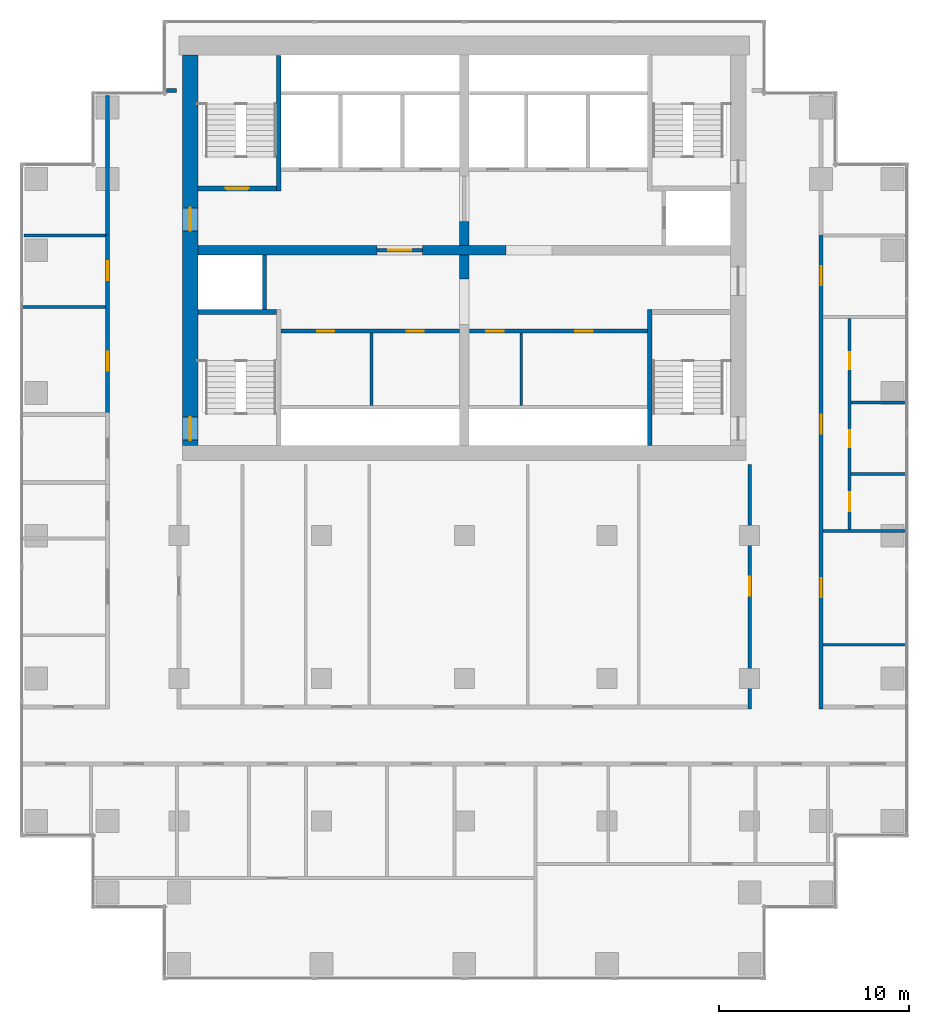
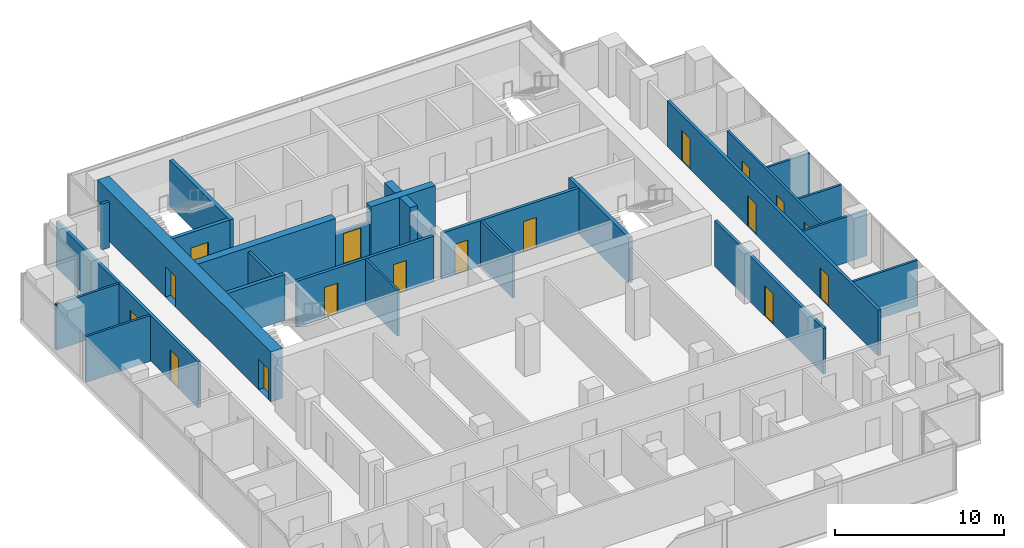
# One storey, part 8 of 11: 27 walls, 17 doors, 17 openings.
"""IFC4 building model written with IfcOpenShell, lengths in metres."""

from ifc_helpers import new_model, si_unit, direction, frame, frame_2d, origin, place, context, subcontext, project, spatial, rectangle, extrude, material, layer, layer_set, type_object, element, fill, save


model = new_model("IFC4")

# Units and contexts
model_context = context("Model", 3, precision=1e-05, world=origin(), true_north=direction((0.0, 1.0)))
body_context = subcontext(model_context, "Body", "Model", "MODEL_VIEW")
ifc_project = project(units=[si_unit("LENGTHUNIT", "METRE"), si_unit("AREAUNIT", "SQUARE_METRE"), si_unit("VOLUMEUNIT", "CUBIC_METRE"), si_unit("PLANEANGLEUNIT", "RADIAN"), si_unit("MASSUNIT", "GRAM", prefix="KILO")], contexts=[model_context])

# Site, building, storey
site_placement = place(None, origin())
site = spatial("IfcSite", under=ifc_project, at=site_placement, CompositionType="ELEMENT")
building_placement = place(site_placement, origin())
building = spatial("IfcBuilding", under=site, at=building_placement, Name="Pilkhan Gate Tower", CompositionType="ELEMENT")
storey_placement = place(building_placement, frame((0.0, 0.0, 172.89990234375)))
storey = spatial("IfcBuildingStorey", under=building, at=storey_placement, Name="L44", CompositionType="ELEMENT", Elevation=172.89990234375)

# Wall, openings, doors
ifc_material_1 = material(Name="Concrete C60/75", Category="concrete")
ifc_layer_1 = layer(ifc_material_1, 0.800048828125)
ifc_layer_set_1 = layer_set([ifc_layer_1], Name="Core wall CW800 C60/75")
wall_type_1 = type_object("IfcWallType", Name="Core wall CW800 C60/75", PredefinedType="SHEAR", material=ifc_layer_set_1)
wall_1_placement = place(storey_placement, frame((60.60009765625, 92.75, 0.0), z_axis=(0.0, 0.0, 1.0), x_axis=(0.0, -1.0, 0.0)))
wall_1 = element("IfcWall", 1, at=wall_1_placement, inside=storey, type_object=wall_type_1, Name="Core wall W L44", PredefinedType="SHEAR", context=body_context, shape_type="SweptSolid", body=[
    extrude(rectangle(XDim=20.5, YDim=0.800048828125, at=frame_2d((10.25, 0.0))), origin(), (0.0, 0.0, 1.0), 3.60009765625),
])
opening_1_placement = place(wall_1_placement, frame((19.02490234375, 0.0, 0.0)))
opening_1 = element("IfcOpeningElement", 2, at=opening_1_placement, cuts=wall_1, Name="Opening L44-04", PredefinedType="OPENING", context=body_context, shape_type="SweptSolid", body=[
    extrude(rectangle(XDim=1.199951171875, YDim=2.199951171875, at=frame_2d((0.60009765625, 1.10009765625))), frame((0.0, 0.409912109375, 0.0), z_axis=(0.0, -1.0, 0.0), x_axis=(1.0, 0.0, 0.0)), (0.0, 0.0, 1.0), 0.820068359375),
])
opening_2_placement = place(wall_1_placement, frame((8.02490234375, 0.0, 0.0)))
opening_2 = element("IfcOpeningElement", 3, at=opening_2_placement, cuts=wall_1, Name="Opening L44-11", PredefinedType="OPENING", context=body_context, shape_type="SweptSolid", body=[
    extrude(rectangle(XDim=1.199951171875, YDim=2.199951171875, at=frame_2d((0.60009765625, 1.10009765625))), frame((0.0, 0.409912109375, 0.0), z_axis=(0.0, -1.0, 0.0), x_axis=(1.0, 0.0, 0.0)), (0.0, 0.0, 1.0), 0.820068359375),
])
ifc_material_2 = material(Name="Steel door, 120 minute fire resisting, self-closing", Category="steel")
door_type_1 = type_object("IfcDoorType", Name="Firefighting lobby door D10 1200x2200", OperationType="SINGLE_SWING_LEFT", PredefinedType="DOOR", material=ifc_material_2)
door_1_placement = place(opening_2_placement, origin())
door_1 = element("IfcDoor", 4, at=door_1_placement, inside=storey, type_object=door_type_1, Name="Core door", OperationType="SINGLE_SWING_LEFT", OverallHeight=2.199951171875, OverallWidth=1.199951171875, PredefinedType="DOOR", context=body_context, shape_type="SweptSolid", body=[
    extrude(rectangle(XDim=1.199951171875, YDim=2.199951171875, at=frame_2d((0.60009765625, 1.10009765625))), frame((0.0, 0.02490234375, 0.0), z_axis=(0.0, -1.0, 0.0), x_axis=(1.0, 0.0, 0.0)), (0.0, 0.0, 1.0), 0.050048828125),
])
fill(opening_2, door_1)
ifc_material_3 = material(Name="Steel door, 120 minute fire resisting, panic bar", Category="steel")
door_type_2 = type_object("IfcDoorType", Name="Stair door D11 1200x2200", OperationType="SINGLE_SWING_LEFT", PredefinedType="DOOR", material=ifc_material_3)
door_2_placement = place(opening_1_placement, origin())
door_2 = element("IfcDoor", 5, at=door_2_placement, inside=storey, type_object=door_type_2, Name="Stair ST2 door", OperationType="SINGLE_SWING_RIGHT", OverallHeight=2.199951171875, OverallWidth=1.199951171875, PredefinedType="DOOR", context=body_context, shape_type="SweptSolid", body=[
    extrude(rectangle(XDim=1.199951171875, YDim=2.199951171875, at=frame_2d((0.60009765625, 1.10009765625))), frame((0.0, 0.02490234375, 0.0), z_axis=(0.0, -1.0, 0.0), x_axis=(1.0, 0.0, 0.0)), (0.0, 0.0, 1.0), 0.050048828125),
])
fill(opening_1, door_2)

# Wall
ifc_material_4 = material(Name="Dense blockwork", Category="masonry")
ifc_layer_2 = layer(ifc_material_4, 0.199951171875)
ifc_layer_set_2 = layer_set([ifc_layer_2], Name="Corridor wall FW200")
wall_type_2 = type_object("IfcWallType", Name="Corridor wall FW200", PredefinedType="PARTITIONING", material=ifc_layer_set_2)
wall_2_placement = place(storey_placement, frame((59.35498046875, 90.89990234375, 0.0), z_axis=(0.0, 0.0, 1.0), x_axis=(1.0, 0.0, 0.0)))
element("IfcWall", 6, at=wall_2_placement, inside=storey, type_object=wall_type_2, Name="Partition L44", PredefinedType="PARTITIONING", context=body_context, shape_type="SweptSolid", body=[
    extrude(rectangle(XDim=0.52490234375, YDim=0.199951171875, at=frame_2d((0.262451171875, 0.0))), origin(), (0.0, 0.0, 1.0), 3.300048828125),
])

# Wall, openings, doors
wall_3_placement = place(storey_placement, frame((56.25, 73.864990234375, 0.0), z_axis=(0.0, 0.0, 1.0), x_axis=(0.0, 1.0, 0.0)))
wall_3 = element("IfcWall", 7, at=wall_3_placement, inside=storey, type_object=wall_type_2, Name="Partition L44", PredefinedType="PARTITIONING", context=body_context, shape_type="SweptSolid", body=[
    extrude(rectangle(XDim=9.489990234375, YDim=0.199951171875, at=frame_2d((4.7451171875, 0.0))), origin(), (0.0, 0.0, 1.0), 3.300048828125),
])
opening_3_placement = place(wall_3_placement, frame((2.300048828125, 0.0, 0.0)))
opening_3 = element("IfcOpeningElement", 8, at=opening_3_placement, cuts=wall_3, Name="Opening L44-31", PredefinedType="OPENING", context=body_context, shape_type="SweptSolid", body=[
    extrude(rectangle(XDim=1.0, YDim=2.199951171875, at=frame_2d((0.5, 1.10009765625))), frame((0.0, 0.10986328125, 0.0), z_axis=(0.0, -1.0, 0.0), x_axis=(1.0, 0.0, 0.0)), (0.0, 0.0, 1.0), 0.219970703125),
])
opening_4_placement = place(wall_3_placement, frame((7.049072265625, 0.0, 0.0)))
opening_4 = element("IfcOpeningElement", 9, at=opening_4_placement, cuts=wall_3, Name="Opening L44-32", PredefinedType="OPENING", context=body_context, shape_type="SweptSolid", body=[
    extrude(rectangle(XDim=1.0, YDim=2.199951171875, at=frame_2d((0.5, 1.10009765625))), frame((0.0, 0.10986328125, 0.0), z_axis=(0.0, -1.0, 0.0), x_axis=(1.0, 0.0, 0.0)), (0.0, 0.0, 1.0), 0.219970703125),
])
ifc_material_5 = material(Name="Timber flush door, 30 minute fire resisting", Category="wood")
door_type_3 = type_object("IfcDoorType", Name="Room door D03 1000x2200", OperationType="SINGLE_SWING_LEFT", PredefinedType="DOOR", material=ifc_material_5)
door_3_placement = place(opening_3_placement, origin())
door_3 = element("IfcDoor", 10, at=door_3_placement, inside=storey, type_object=door_type_3, Name="Room door", OperationType="SINGLE_SWING_RIGHT", OverallHeight=2.199951171875, OverallWidth=1.0, PredefinedType="DOOR", context=body_context, shape_type="SweptSolid", body=[
    extrude(rectangle(XDim=1.0, YDim=2.199951171875, at=frame_2d((0.5, 1.10009765625))), frame((0.0, 0.02490234375, 0.0), z_axis=(0.0, -1.0, 0.0), x_axis=(1.0, 0.0, 0.0)), (0.0, 0.0, 1.0), 0.050048828125),
])
fill(opening_3, door_3)
door_4_placement = place(opening_4_placement, origin())
door_4 = element("IfcDoor", 11, at=door_4_placement, inside=storey, type_object=door_type_3, Name="Room door", OperationType="SINGLE_SWING_RIGHT", OverallHeight=2.199951171875, OverallWidth=1.0, PredefinedType="DOOR", context=body_context, shape_type="SweptSolid", body=[
    extrude(rectangle(XDim=1.0, YDim=2.199951171875, at=frame_2d((0.5, 1.10009765625))), frame((0.0, 0.02490234375, 0.0), z_axis=(0.0, -1.0, 0.0), x_axis=(1.0, 0.0, 0.0)), (0.0, 0.0, 1.0), 0.050048828125),
])
fill(opening_4, door_4)

# Wall
wall_4_placement = place(storey_placement, frame((56.25, 83.31005859375, 0.0), z_axis=(0.0, 0.0, 1.0), x_axis=(0.0, 1.0, 0.0)))
element("IfcWall", 12, at=wall_4_placement, inside=storey, type_object=wall_type_2, Name="Partition L44", PredefinedType="PARTITIONING", context=body_context, shape_type="SweptSolid", body=[
    extrude(rectangle(XDim=7.3349609375, YDim=0.199951171875, at=frame_2d((3.66748046875, 0.0))), origin(), (0.0, 0.0, 1.0), 3.300048828125),
])

# Wall, opening, door
wall_5_placement = place(storey_placement, frame((90.0, 58.39990234375, 0.0), z_axis=(0.0, 0.0, 1.0), x_axis=(0.0, 1.0, 0.0)))
wall_5 = element("IfcWall", 13, at=wall_5_placement, inside=storey, type_object=wall_type_2, Name="Partition L44", PredefinedType="PARTITIONING", context=body_context, shape_type="SweptSolid", body=[
    extrude(rectangle(XDim=12.85009765625, YDim=0.199951171875, at=frame_2d((6.425048828125, 0.0))), origin(), (0.0, 0.0, 1.0), 3.300048828125),
])
opening_5_placement = place(wall_5_placement, frame((5.949951171875, 0.0, 0.0)))
opening_5 = element("IfcOpeningElement", 14, at=opening_5_placement, cuts=wall_5, Name="Opening L44-44", PredefinedType="OPENING", context=body_context, shape_type="SweptSolid", body=[
    extrude(rectangle(XDim=1.0, YDim=2.199951171875, at=frame_2d((0.5, 1.10009765625))), frame((0.0, 0.10986328125, 0.0), z_axis=(0.0, -1.0, 0.0), x_axis=(1.0, 0.0, 0.0)), (0.0, 0.0, 1.0), 0.219970703125),
])
door_5_placement = place(opening_5_placement, origin())
door_5 = element("IfcDoor", 15, at=door_5_placement, inside=storey, type_object=door_type_3, Name="Room door", OperationType="SINGLE_SWING_LEFT", OverallHeight=2.199951171875, OverallWidth=1.0, PredefinedType="DOOR", context=body_context, shape_type="SweptSolid", body=[
    extrude(rectangle(XDim=1.0, YDim=2.199951171875, at=frame_2d((0.5, 1.10009765625))), frame((0.0, 0.02490234375, 0.0), z_axis=(0.0, -1.0, 0.0), x_axis=(1.0, 0.0, 0.0)), (0.0, 0.0, 1.0), 0.050048828125),
])
fill(opening_5, door_5)

# Wall, openings, doors
wall_6_placement = place(storey_placement, frame((93.75, 58.39990234375, 0.0), z_axis=(0.0, 0.0, 1.0), x_axis=(0.0, 1.0, 0.0)))
wall_6 = element("IfcWall", 16, at=wall_6_placement, inside=storey, type_object=wall_type_2, Name="Partition L44", PredefinedType="PARTITIONING", context=body_context, shape_type="SweptSolid", body=[
    extrude(rectangle(XDim=24.955078125, YDim=0.199951171875, at=frame_2d((12.4775390625, 0.0))), origin(), (0.0, 0.0, 1.0), 3.300048828125),
])
opening_6_placement = place(wall_6_placement, frame((14.449951171875, 0.0, 0.0)))
opening_6 = element("IfcOpeningElement", 17, at=opening_6_placement, cuts=wall_6, Name="Opening L44-09", PredefinedType="OPENING", context=body_context, shape_type="SweptSolid", body=[
    extrude(rectangle(XDim=1.0, YDim=2.199951171875, at=frame_2d((0.5, 1.10009765625))), frame((0.0, 0.10986328125, 0.0), z_axis=(0.0, -1.0, 0.0), x_axis=(1.0, 0.0, 0.0)), (0.0, 0.0, 1.0), 0.219970703125),
])
opening_7_placement = place(wall_6_placement, frame((5.868896484375, 0.0, 0.0)))
opening_7 = element("IfcOpeningElement", 18, at=opening_7_placement, cuts=wall_6, Name="Opening L44-37", PredefinedType="OPENING", context=body_context, shape_type="SweptSolid", body=[
    extrude(rectangle(XDim=1.0, YDim=2.199951171875, at=frame_2d((0.5, 1.10009765625))), frame((0.0, 0.10986328125, 0.0), z_axis=(0.0, -1.0, 0.0), x_axis=(1.0, 0.0, 0.0)), (0.0, 0.0, 1.0), 0.219970703125),
])
opening_8_placement = place(wall_6_placement, frame((22.25, 0.0, 0.0)))
opening_8 = element("IfcOpeningElement", 19, at=opening_8_placement, cuts=wall_6, Name="Opening L44-38", PredefinedType="OPENING", context=body_context, shape_type="SweptSolid", body=[
    extrude(rectangle(XDim=1.0, YDim=2.199951171875, at=frame_2d((0.5, 1.10009765625))), frame((0.0, 0.10986328125, 0.0), z_axis=(0.0, -1.0, 0.0), x_axis=(1.0, 0.0, 0.0)), (0.0, 0.0, 1.0), 0.219970703125),
])
door_6_placement = place(opening_6_placement, origin())
door_6 = element("IfcDoor", 20, at=door_6_placement, inside=storey, type_object=door_type_3, Name="Toilet lobby door", OperationType="SINGLE_SWING_LEFT", OverallHeight=2.199951171875, OverallWidth=1.0, PredefinedType="DOOR", context=body_context, shape_type="SweptSolid", body=[
    extrude(rectangle(XDim=1.0, YDim=2.199951171875, at=frame_2d((0.5, 1.10009765625))), frame((0.0, 0.02490234375, 0.0), z_axis=(0.0, -1.0, 0.0), x_axis=(1.0, 0.0, 0.0)), (0.0, 0.0, 1.0), 0.050048828125),
])
fill(opening_6, door_6)
door_7_placement = place(opening_7_placement, origin())
door_7 = element("IfcDoor", 21, at=door_7_placement, inside=storey, type_object=door_type_3, Name="Room door", OperationType="SINGLE_SWING_RIGHT", OverallHeight=2.199951171875, OverallWidth=1.0, PredefinedType="DOOR", context=body_context, shape_type="SweptSolid", body=[
    extrude(rectangle(XDim=1.0, YDim=2.199951171875, at=frame_2d((0.5, 1.10009765625))), frame((0.0, 0.02490234375, 0.0), z_axis=(0.0, -1.0, 0.0), x_axis=(1.0, 0.0, 0.0)), (0.0, 0.0, 1.0), 0.050048828125),
])
fill(opening_7, door_7)
door_8_placement = place(opening_8_placement, origin())
door_8 = element("IfcDoor", 22, at=door_8_placement, inside=storey, type_object=door_type_3, Name="Room door", OperationType="SINGLE_SWING_RIGHT", OverallHeight=2.199951171875, OverallWidth=1.0, PredefinedType="DOOR", context=body_context, shape_type="SweptSolid", body=[
    extrude(rectangle(XDim=1.0, YDim=2.199951171875, at=frame_2d((0.5, 1.10009765625))), frame((0.0, 0.02490234375, 0.0), z_axis=(0.0, -1.0, 0.0), x_axis=(1.0, 0.0, 0.0)), (0.0, 0.0, 1.0), 0.050048828125),
])
fill(opening_8, door_8)

ifc_layer_3 = layer(ifc_material_4, 0.199951171875)
ifc_layer_set_3 = layer_set([ifc_layer_3], Name="Lobby wall LW200")
wall_type_3 = type_object("IfcWallType", Name="Lobby wall LW200", PredefinedType="PARTITIONING", material=ifc_layer_set_3)
wall_7_placement = place(storey_placement, frame((65.375, 78.25, 0.0), z_axis=(0.0, 0.0, 1.0), x_axis=(1.0, 0.0, 0.0)))
wall_7 = element("IfcWall", 23, at=wall_7_placement, inside=storey, type_object=wall_type_3, Name="Partition L44", PredefinedType="PARTITIONING", context=body_context, shape_type="SweptSolid", body=[
    extrude(rectangle(XDim=9.364990234375, YDim=0.199951171875, at=frame_2d((4.6826171875, 0.0))), origin(), (0.0, 0.0, 1.0), 3.300048828125),
])
opening_9_placement = place(wall_7_placement, frame((1.89990234375, 0.0, 0.0)))
opening_9 = element("IfcOpeningElement", 24, at=opening_9_placement, cuts=wall_7, Name="Opening L44-12", PredefinedType="OPENING", context=body_context, shape_type="SweptSolid", body=[
    extrude(rectangle(XDim=0.89990234375, YDim=2.199951171875, at=frame_2d((0.449951171875, 1.10009765625))), frame((0.0, 0.10986328125, 0.0), z_axis=(0.0, -1.0, 0.0), x_axis=(1.0, 0.0, 0.0)), (0.0, 0.0, 1.0), 0.219970703125),
])
opening_10_placement = place(wall_7_placement, frame((6.60009765625, 0.0, 0.0)))
opening_10 = element("IfcOpeningElement", 25, at=opening_10_placement, cuts=wall_7, Name="Opening L44-13", PredefinedType="OPENING", context=body_context, shape_type="SweptSolid", body=[
    extrude(rectangle(XDim=0.89990234375, YDim=2.199951171875, at=frame_2d((0.449951171875, 1.10009765625))), frame((0.0, 0.10986328125, 0.0), z_axis=(0.0, -1.0, 0.0), x_axis=(1.0, 0.0, 0.0)), (0.0, 0.0, 1.0), 0.219970703125),
])
ifc_material_6 = material(Name="Timber flush door, 60 minute fire resisting, self-closing", Category="wood")
door_type_4 = type_object("IfcDoorType", Name="Store door D05 900x2200", OperationType="SINGLE_SWING_LEFT", PredefinedType="DOOR", material=ifc_material_6)
door_9_placement = place(opening_9_placement, origin())
door_9 = element("IfcDoor", 26, at=door_9_placement, inside=storey, type_object=door_type_4, Name="Store door", OperationType="SINGLE_SWING_LEFT", OverallHeight=2.199951171875, OverallWidth=0.89990234375, PredefinedType="DOOR", context=body_context, shape_type="SweptSolid", body=[
    extrude(rectangle(XDim=0.89990234375, YDim=2.199951171875, at=frame_2d((0.449951171875, 1.10009765625))), frame((0.0, 0.02490234375, 0.0), z_axis=(0.0, -1.0, 0.0), x_axis=(1.0, 0.0, 0.0)), (0.0, 0.0, 1.0), 0.050048828125),
])
fill(opening_9, door_9)
door_10_placement = place(opening_10_placement, origin())
door_10 = element("IfcDoor", 27, at=door_10_placement, inside=storey, type_object=door_type_4, Name="Store door", OperationType="SINGLE_SWING_RIGHT", OverallHeight=2.199951171875, OverallWidth=0.89990234375, PredefinedType="DOOR", context=body_context, shape_type="SweptSolid", body=[
    extrude(rectangle(XDim=0.89990234375, YDim=2.199951171875, at=frame_2d((0.449951171875, 1.10009765625))), frame((0.0, 0.02490234375, 0.0), z_axis=(0.0, -1.0, 0.0), x_axis=(1.0, 0.0, 0.0)), (0.0, 0.0, 1.0), 0.050048828125),
])
fill(opening_10, door_10)

wall_8_placement = place(storey_placement, frame((75.260009765625, 78.25, 0.0), z_axis=(0.0, 0.0, 1.0), x_axis=(1.0, 0.0, 0.0)))
wall_8 = element("IfcWall", 28, at=wall_8_placement, inside=storey, type_object=wall_type_3, Name="Partition L44", PredefinedType="PARTITIONING", context=body_context, shape_type="SweptSolid", body=[
    extrude(rectangle(XDim=9.364990234375, YDim=0.199951171875, at=frame_2d((4.6826171875, 0.0))), origin(), (0.0, 0.0, 1.0), 3.300048828125),
])
opening_11_placement = place(wall_8_placement, frame((0.89990234375, 0.0, 0.0)))
opening_11 = element("IfcOpeningElement", 29, at=opening_11_placement, cuts=wall_8, Name="Opening L44-14", PredefinedType="OPENING", context=body_context, shape_type="SweptSolid", body=[
    extrude(rectangle(XDim=0.89990234375, YDim=2.199951171875, at=frame_2d((0.449951171875, 1.10009765625))), frame((0.0, 0.10986328125, 0.0), z_axis=(0.0, -1.0, 0.0), x_axis=(1.0, 0.0, 0.0)), (0.0, 0.0, 1.0), 0.219970703125),
])
opening_12_placement = place(wall_8_placement, frame((5.580078125, 0.0, 0.0)))
opening_12 = element("IfcOpeningElement", 30, at=opening_12_placement, cuts=wall_8, Name="Opening L44-15", PredefinedType="OPENING", context=body_context, shape_type="SweptSolid", body=[
    extrude(rectangle(XDim=0.89990234375, YDim=2.199951171875, at=frame_2d((0.449951171875, 1.10009765625))), frame((0.0, 0.10986328125, 0.0), z_axis=(0.0, -1.0, 0.0), x_axis=(1.0, 0.0, 0.0)), (0.0, 0.0, 1.0), 0.219970703125),
])
door_11_placement = place(opening_11_placement, origin())
door_11 = element("IfcDoor", 31, at=door_11_placement, inside=storey, type_object=door_type_4, Name="Store door", OperationType="SINGLE_SWING_LEFT", OverallHeight=2.199951171875, OverallWidth=0.89990234375, PredefinedType="DOOR", context=body_context, shape_type="SweptSolid", body=[
    extrude(rectangle(XDim=0.89990234375, YDim=2.199951171875, at=frame_2d((0.449951171875, 1.10009765625))), frame((0.0, 0.02490234375, 0.0), z_axis=(0.0, -1.0, 0.0), x_axis=(1.0, 0.0, 0.0)), (0.0, 0.0, 1.0), 0.050048828125),
])
fill(opening_11, door_11)
door_12_placement = place(opening_12_placement, origin())
door_12 = element("IfcDoor", 32, at=door_12_placement, inside=storey, type_object=door_type_4, Name="Store door", OperationType="SINGLE_SWING_LEFT", OverallHeight=2.199951171875, OverallWidth=0.89990234375, PredefinedType="DOOR", context=body_context, shape_type="SweptSolid", body=[
    extrude(rectangle(XDim=0.89990234375, YDim=2.199951171875, at=frame_2d((0.449951171875, 1.10009765625))), frame((0.0, 0.02490234375, 0.0), z_axis=(0.0, -1.0, 0.0), x_axis=(1.0, 0.0, 0.0)), (0.0, 0.0, 1.0), 0.050048828125),
])
fill(opening_12, door_12)

# Wall, opening, door
wall_9_placement = place(storey_placement, frame((70.409912109375, 82.5, 0.0), z_axis=(0.0, 0.0, 1.0), x_axis=(1.0, 0.0, 0.0)))
wall_9 = element("IfcWall", 33, at=wall_9_placement, inside=storey, type_object=wall_type_3, Name="Partition L44", PredefinedType="PARTITIONING", context=body_context, shape_type="SweptSolid", body=[
    extrude(rectangle(XDim=2.380126953125, YDim=0.199951171875, at=frame_2d((1.18994140625, 0.0))), origin(), (0.0, 0.0, 1.0), 2.400146484375),
])
opening_13_placement = place(wall_9_placement, frame((0.60009765625, 0.0, 0.0)))
opening_13 = element("IfcOpeningElement", 34, at=opening_13_placement, cuts=wall_9, Name="Opening L44-01", PredefinedType="OPENING", context=body_context, shape_type="SweptSolid", body=[
    extrude(rectangle(XDim=1.199951171875, YDim=2.199951171875, at=frame_2d((0.60009765625, 1.10009765625))), frame((0.0, 0.10986328125, 0.0), z_axis=(0.0, -1.0, 0.0), x_axis=(1.0, 0.0, 0.0)), (0.0, 0.0, 1.0), 0.219970703125),
])
door_13_placement = place(opening_13_placement, origin())
door_13 = element("IfcDoor", 35, at=door_13_placement, inside=storey, type_object=door_type_1, Name="Firefighting lobby door", OperationType="SINGLE_SWING_LEFT", OverallHeight=2.199951171875, OverallWidth=1.199951171875, PredefinedType="DOOR", context=body_context, shape_type="SweptSolid", body=[
    extrude(rectangle(XDim=1.199951171875, YDim=2.199951171875, at=frame_2d((0.60009765625, 1.10009765625))), frame((0.0, 0.02490234375, 0.0), z_axis=(0.0, -1.0, 0.0), x_axis=(1.0, 0.0, 0.0)), (0.0, 0.0, 1.0), 0.050048828125),
])
fill(opening_13, door_13)

# Walls
ifc_material_7 = material(Name="Blockwork partition, plastered both sides", Category="masonry")
ifc_layer_4 = layer(ifc_material_7, 0.14990234375)
ifc_layer_set_4 = layer_set([ifc_layer_4], Name="Partition PW150")
wall_type_4 = type_object("IfcWallType", Name="Partition PW150", PredefinedType="PARTITIONING", material=ifc_layer_set_4)
for number, where, z_axis, x_axis, name in (
    (36, (93.85009765625, 61.76904296875, 0.0), (0.0, 0.0, 1.0), (1.0, 0.0, 0.0), "Partition L44"),
    (37, (93.85009765625, 67.75, 0.0), (0.0, 0.0, 1.0), (1.0, 0.0, 0.0), "Partition L44"),
):
    element("IfcWall", number, at=place(storey_placement, frame(where, z_axis=z_axis, x_axis=x_axis)), inside=storey, type_object=wall_type_4, Name=name, PredefinedType="PARTITIONING", context=body_context, shape_type="SweptSolid", body=[
        extrude(rectangle(XDim=4.414794921875, YDim=0.14990234375, at=frame_2d((2.20751953125, 0.0))), origin(), (0.0, 0.0, 1.0), 3.300048828125),
    ])
for number, where, z_axis, x_axis, name in (
    (38, (95.324951171875, 70.75, 0.0), (0.0, 0.0, 1.0), (1.0, 0.0, 0.0), "Partition L44"),
    (39, (95.324951171875, 74.5, 0.0), (0.0, 0.0, 1.0), (1.0, 0.0, 0.0), "Partition L44"),
):
    element("IfcWall", number, at=place(storey_placement, frame(where, z_axis=z_axis, x_axis=x_axis)), inside=storey, type_object=wall_type_4, Name=name, PredefinedType="PARTITIONING", context=body_context, shape_type="SweptSolid", body=[
        extrude(rectangle(XDim=2.93994140625, YDim=0.14990234375, at=frame_2d((1.469970703125, 0.0))), origin(), (0.0, 0.0, 1.0), 3.300048828125),
    ])
wall_10_placement = place(storey_placement, frame((51.735107421875, 79.513916015625, 0.0), z_axis=(0.0, 0.0, 1.0), x_axis=(1.0, 0.0, 0.0)))
element("IfcWall", 40, at=wall_10_placement, inside=storey, type_object=wall_type_4, Name="Partition L44", PredefinedType="PARTITIONING", context=body_context, shape_type="SweptSolid", body=[
    extrude(rectangle(XDim=4.414794921875, YDim=0.14990234375, at=frame_2d((2.20751953125, 0.0))), origin(), (0.0, 0.0, 1.0), 3.300048828125),
])
wall_11_placement = place(storey_placement, frame((51.85498046875, 83.280029296875, 0.0), z_axis=(0.0, 0.0, 1.0), x_axis=(1.0, 0.0, 0.0)))
element("IfcWall", 41, at=wall_11_placement, inside=storey, type_object=wall_type_4, Name="Partition L44", PredefinedType="PARTITIONING", context=body_context, shape_type="SweptSolid", body=[
    extrude(rectangle(XDim=4.294921875, YDim=0.14990234375, at=frame_2d((2.1474609375, 0.0))), origin(), (0.0, 0.0, 1.0), 3.300048828125),
])
for number, where, z_axis, x_axis, name in (
    (42, (70.125, 74.35009765625, 0.0), (0.0, 0.0, 1.0), (0.0, 1.0, 0.0), "Partition L44"),
    (43, (77.989990234375, 74.35009765625, 0.0), (0.0, 0.0, 1.0), (0.0, 1.0, 0.0), "Partition L44"),
):
    element("IfcWall", number, at=place(storey_placement, frame(where, z_axis=z_axis, x_axis=x_axis)), inside=storey, type_object=wall_type_4, Name=name, PredefinedType="PARTITIONING", context=body_context, shape_type="SweptSolid", body=[
        extrude(rectangle(XDim=3.7998046875, YDim=0.14990234375, at=frame_2d((1.89990234375, 0.0))), origin(), (0.0, 0.0, 1.0), 3.300048828125),
    ])

# Wall, openings, doors
wall_12_placement = place(storey_placement, frame((95.25, 67.824951171875, 0.0), z_axis=(0.0, 0.0, 1.0), x_axis=(0.0, 1.0, 0.0)))
wall_12 = element("IfcWall", 44, at=wall_12_placement, inside=storey, type_object=wall_type_4, Name="Partition L44", PredefinedType="PARTITIONING", context=body_context, shape_type="SweptSolid", body=[
    extrude(rectangle(XDim=11.10009765625, YDim=0.14990234375, at=frame_2d((5.550048828125, 0.0))), origin(), (0.0, 0.0, 1.0), 3.300048828125),
])
opening_14_placement = place(wall_12_placement, frame((0.949951171875, 0.0, 0.0)))
opening_14 = element("IfcOpeningElement", 45, at=opening_14_placement, cuts=wall_12, Name="Opening L44-33", PredefinedType="OPENING", context=body_context, shape_type="SweptSolid", body=[
    extrude(rectangle(XDim=1.0, YDim=2.199951171875, at=frame_2d((0.5, 1.10009765625))), frame((0.0, 0.0849609375, 0.0), z_axis=(0.0, -1.0, 0.0), x_axis=(1.0, 0.0, 0.0)), (0.0, 0.0, 1.0), 0.169921875),
])
opening_15_placement = place(wall_12_placement, frame((4.324951171875, 0.0, 0.0)))
opening_15 = element("IfcOpeningElement", 46, at=opening_15_placement, cuts=wall_12, Name="Opening L44-34", PredefinedType="OPENING", context=body_context, shape_type="SweptSolid", body=[
    extrude(rectangle(XDim=0.89990234375, YDim=2.199951171875, at=frame_2d((0.449951171875, 1.10009765625))), frame((0.0, 0.0849609375, 0.0), z_axis=(0.0, -1.0, 0.0), x_axis=(1.0, 0.0, 0.0)), (0.0, 0.0, 1.0), 0.169921875),
])
opening_16_placement = place(wall_12_placement, frame((8.425048828125, 0.0, 0.0)))
opening_16 = element("IfcOpeningElement", 47, at=opening_16_placement, cuts=wall_12, Name="Opening L44-35", PredefinedType="OPENING", context=body_context, shape_type="SweptSolid", body=[
    extrude(rectangle(XDim=0.89990234375, YDim=2.199951171875, at=frame_2d((0.449951171875, 1.10009765625))), frame((0.0, 0.0849609375, 0.0), z_axis=(0.0, -1.0, 0.0), x_axis=(1.0, 0.0, 0.0)), (0.0, 0.0, 1.0), 0.169921875),
])
ifc_material_8 = material(Name="Timber flush door, outward opening, 30 minute fire resisting", Category="wood")
door_type_5 = type_object("IfcDoorType", Name="Accessible toilet door D07 1000x2200", OperationType="SINGLE_SWING_LEFT", PredefinedType="DOOR", material=ifc_material_8)
door_14_placement = place(opening_14_placement, origin())
door_14 = element("IfcDoor", 48, at=door_14_placement, inside=storey, type_object=door_type_5, Name="Accessible toilet door", OperationType="SINGLE_SWING_LEFT", OverallHeight=2.199951171875, OverallWidth=1.0, PredefinedType="DOOR", context=body_context, shape_type="SweptSolid", body=[
    extrude(rectangle(XDim=1.0, YDim=2.199951171875, at=frame_2d((0.5, 1.10009765625))), frame((0.0, 0.02490234375, 0.0), z_axis=(0.0, -1.0, 0.0), x_axis=(1.0, 0.0, 0.0)), (0.0, 0.0, 1.0), 0.050048828125),
])
fill(opening_14, door_14)
door_type_6 = type_object("IfcDoorType", Name="Toilet door D06 900x2200", OperationType="SINGLE_SWING_LEFT", PredefinedType="DOOR", material=ifc_material_5)
door_15_placement = place(opening_15_placement, origin())
door_15 = element("IfcDoor", 49, at=door_15_placement, inside=storey, type_object=door_type_6, Name="Toilet door", OperationType="SINGLE_SWING_LEFT", OverallHeight=2.199951171875, OverallWidth=0.89990234375, PredefinedType="DOOR", context=body_context, shape_type="SweptSolid", body=[
    extrude(rectangle(XDim=0.89990234375, YDim=2.199951171875, at=frame_2d((0.449951171875, 1.10009765625))), frame((0.0, 0.02490234375, 0.0), z_axis=(0.0, -1.0, 0.0), x_axis=(1.0, 0.0, 0.0)), (0.0, 0.0, 1.0), 0.050048828125),
])
fill(opening_15, door_15)
door_16_placement = place(opening_16_placement, origin())
door_16 = element("IfcDoor", 50, at=door_16_placement, inside=storey, type_object=door_type_6, Name="Toilet door", OperationType="SINGLE_SWING_LEFT", OverallHeight=2.199951171875, OverallWidth=0.89990234375, PredefinedType="DOOR", context=body_context, shape_type="SweptSolid", body=[
    extrude(rectangle(XDim=0.89990234375, YDim=2.199951171875, at=frame_2d((0.449951171875, 1.10009765625))), frame((0.0, 0.02490234375, 0.0), z_axis=(0.0, -1.0, 0.0), x_axis=(1.0, 0.0, 0.0)), (0.0, 0.0, 1.0), 0.050048828125),
])
fill(opening_16, door_16)

# Walls
ifc_material_9 = material(Name="Reinforced blockwork shaft wall, 120 minute fire resisting", Category="masonry")
ifc_layer_5 = layer(ifc_material_9, 0.199951171875)
ifc_layer_set_5 = layer_set([ifc_layer_5], Name="Shaft wall SW200")
wall_type_5 = type_object("IfcWallType", Name="Shaft wall SW200", PredefinedType="PARTITIONING", material=ifc_layer_set_5)
wall_13_placement = place(storey_placement, frame((64.5, 79.375, 0.0), z_axis=(0.0, 0.0, 1.0), x_axis=(0.0, 1.0, 0.0)))
element("IfcWall", 51, at=wall_13_placement, inside=storey, type_object=wall_type_5, Name="Partition L44", PredefinedType="PARTITIONING", context=body_context, shape_type="SweptSolid", body=[
    extrude(rectangle(XDim=2.864990234375, YDim=0.199951171875, at=frame_2d((1.4326171875, 0.0))), origin(), (0.0, 0.0, 1.0), 3.300048828125),
])
ifc_layer_6 = layer(ifc_material_1, 0.5)
ifc_layer_set_6 = layer_set([ifc_layer_6], Name="Spine wall SW500 C60/75")
wall_type_6 = type_object("IfcWallType", Name="Spine wall SW500 C60/75", PredefinedType="SHEAR", material=ifc_layer_set_6)
wall_14_placement = place(storey_placement, frame((61.0, 82.5, 0.0), z_axis=(0.0, 0.0, 1.0), x_axis=(1.0, 0.0, 0.0)))
element("IfcWall", 52, at=wall_14_placement, inside=storey, type_object=wall_type_6, Name="Spine wall SP-EW1 L44", PredefinedType="SHEAR", context=body_context, shape_type="SweptSolid", body=[
    extrude(rectangle(XDim=9.39990234375, YDim=0.5, at=frame_2d((4.699951171875, 0.0))), origin(), (0.0, 0.0, 1.0), 3.60009765625),
])
wall_15_placement = place(storey_placement, frame((72.800048828125, 82.5, 0.0), z_axis=(0.0, 0.0, 1.0), x_axis=(1.0, 0.0, 0.0)))
element("IfcWall", 53, at=wall_15_placement, inside=storey, type_object=wall_type_6, Name="Spine wall SP-EW2 L44", PredefinedType="SHEAR", context=body_context, shape_type="SweptSolid", body=[
    extrude(rectangle(XDim=4.39990234375, YDim=0.5, at=frame_2d((2.199951171875, 0.0))), origin(), (0.0, 0.0, 1.0), 3.60009765625),
])
for number, where, z_axis, x_axis, name in (
    (54, (75.0, 81.0, 0.0), (0.0, 0.0, 1.0), (0.0, 1.0, 0.0), "Spine wall SP-NS-S2 L44"),
    (55, (75.0, 82.75, 0.0), (0.0, 0.0, 1.0), (0.0, 1.0, 0.0), "Spine wall SP-NS-N1 L44"),
):
    element("IfcWall", number, at=place(storey_placement, frame(where, z_axis=z_axis, x_axis=x_axis)), inside=storey, type_object=wall_type_6, Name=name, PredefinedType="SHEAR", context=body_context, shape_type="SweptSolid", body=[
        extrude(rectangle(XDim=1.25, YDim=0.5, at=frame_2d((0.625, 0.0))), origin(), (0.0, 0.0, 1.0), 3.60009765625),
    ])
ifc_material_10 = material(Name="Reinforced blockwork, 120 minute fire resisting", Category="masonry")
ifc_layer_7 = layer(ifc_material_10, 0.25)
ifc_layer_set_7 = layer_set([ifc_layer_7], Name="Stair enclosure wall SE250")
wall_type_7 = type_object("IfcWallType", Name="Stair enclosure wall SE250", PredefinedType="PARTITIONING", material=ifc_layer_set_7)
wall_16_placement = place(storey_placement, frame((61.010009765625, 79.25, 0.0), z_axis=(0.0, 0.0, 1.0), x_axis=(1.0, 0.0, 0.0)))
element("IfcWall", 56, at=wall_16_placement, inside=storey, type_object=wall_type_7, Name="Partition L44", PredefinedType="PARTITIONING", context=body_context, shape_type="SweptSolid", body=[
    extrude(rectangle(XDim=4.114990234375, YDim=0.25, at=frame_2d((2.0576171875, 0.0))), origin(), (0.0, 0.0, 1.0), 3.300048828125),
])

# Wall, opening, door
wall_17_placement = place(storey_placement, frame((61.010009765625, 85.75, 0.0), z_axis=(0.0, 0.0, 1.0), x_axis=(1.0, 0.0, 0.0)))
wall_17 = element("IfcWall", 57, at=wall_17_placement, inside=storey, type_object=wall_type_7, Name="Partition L44", PredefinedType="PARTITIONING", context=body_context, shape_type="SweptSolid", body=[
    extrude(rectangle(XDim=4.114990234375, YDim=0.25, at=frame_2d((2.0576171875, 0.0))), origin(), (0.0, 0.0, 1.0), 3.300048828125),
])
opening_17_placement = place(wall_17_placement, frame((1.449951171875, 0.0, 0.0)))
opening_17 = element("IfcOpeningElement", 58, at=opening_17_placement, cuts=wall_17, Name="Opening L44-02", PredefinedType="OPENING", context=body_context, shape_type="SweptSolid", body=[
    extrude(rectangle(XDim=1.199951171875, YDim=2.199951171875, at=frame_2d((0.60009765625, 1.10009765625))), frame((0.0, 0.135009765625, 0.0), z_axis=(0.0, -1.0, 0.0), x_axis=(1.0, 0.0, 0.0)), (0.0, 0.0, 1.0), 0.27001953125),
])
door_17_placement = place(opening_17_placement, origin())
door_17 = element("IfcDoor", 59, at=door_17_placement, inside=storey, type_object=door_type_2, Name="Stair ST3 lobby door", OperationType="SINGLE_SWING_LEFT", OverallHeight=2.199951171875, OverallWidth=1.199951171875, PredefinedType="DOOR", context=body_context, shape_type="SweptSolid", body=[
    extrude(rectangle(XDim=1.199951171875, YDim=2.199951171875, at=frame_2d((0.60009765625, 1.10009765625))), frame((0.0, 0.02490234375, 0.0), z_axis=(0.0, -1.0, 0.0), x_axis=(1.0, 0.0, 0.0)), (0.0, 0.0, 1.0), 0.050048828125),
])
fill(opening_17, door_17)

# Walls
wall_18_placement = place(storey_placement, frame((65.25, 85.625, 0.0), z_axis=(0.0, 0.0, 1.0), x_axis=(0.0, 1.0, 0.0)))
element("IfcWall", 60, at=wall_18_placement, inside=storey, type_object=wall_type_7, Name="Partition L44", PredefinedType="PARTITIONING", context=body_context, shape_type="SweptSolid", body=[
    extrude(rectangle(XDim=7.114990234375, YDim=0.25, at=frame_2d((3.5576171875, 0.0))), origin(), (0.0, 0.0, 1.0), 3.300048828125),
])
wall_19_placement = place(storey_placement, frame((84.75, 72.25, 0.0), z_axis=(0.0, 0.0, 1.0), x_axis=(0.0, 1.0, 0.0)))
element("IfcWall", 61, at=wall_19_placement, inside=storey, type_object=wall_type_7, Name="Partition L44", PredefinedType="PARTITIONING", context=body_context, shape_type="SweptSolid", body=[
    extrude(rectangle(XDim=7.125, YDim=0.25, at=frame_2d((3.5625, 0.0))), origin(), (0.0, 0.0, 1.0), 3.300048828125),
])

save(model, "model.ifc")
